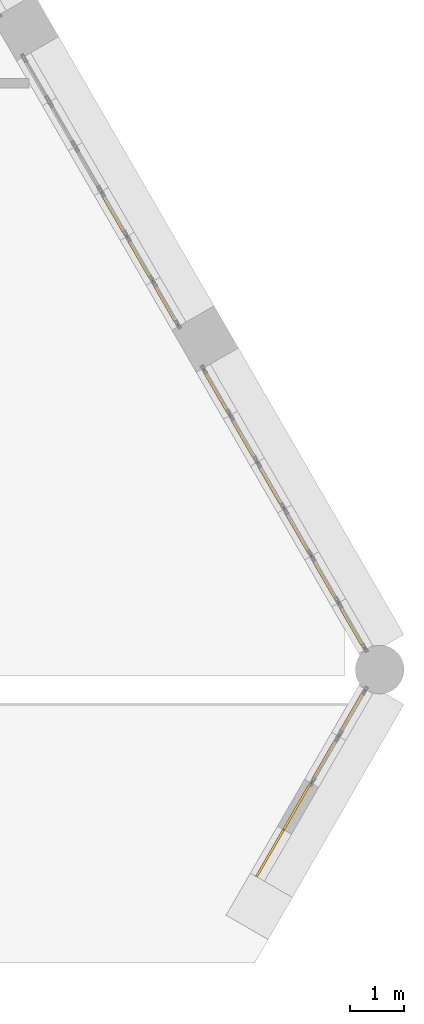
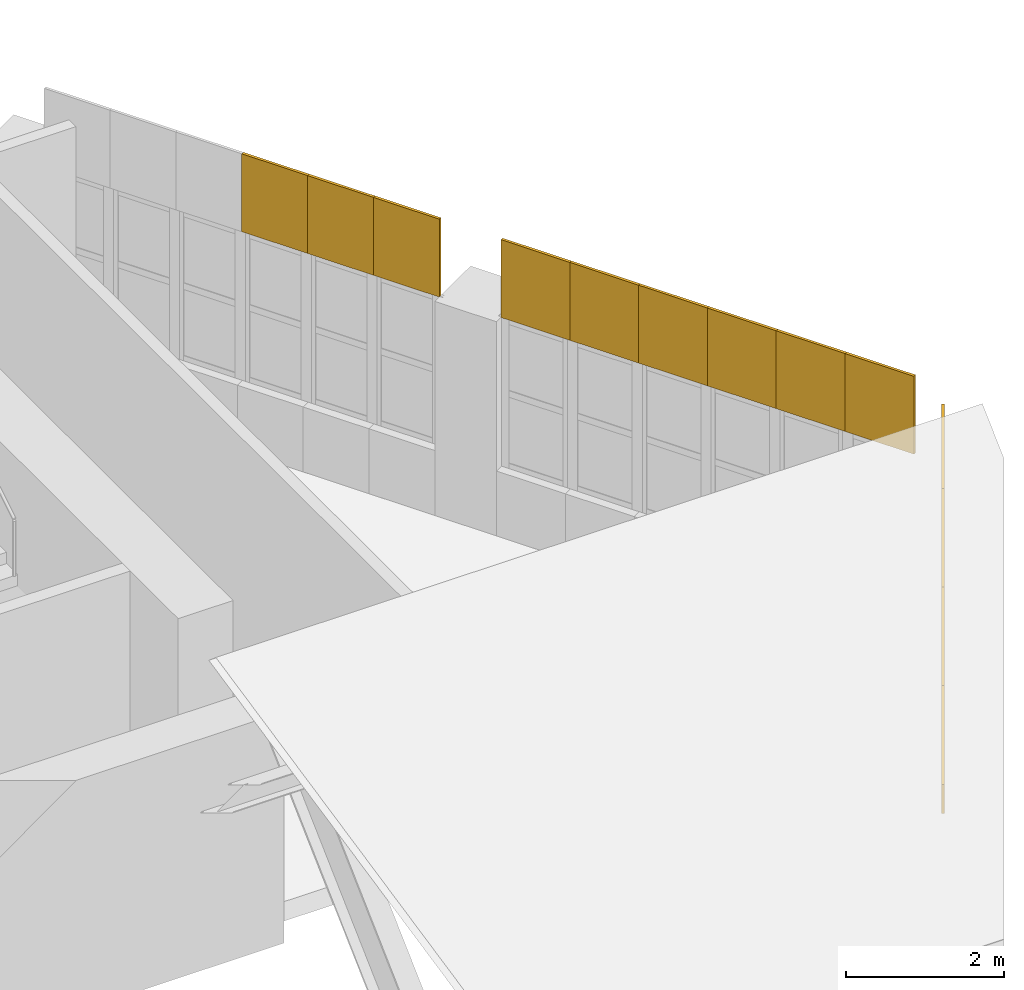
# One storey, part 20 of 20: 13 coverings.
"""IFC4 building model written with IfcOpenShell, lengths in metres."""

from ifc_helpers import new_model, si_unit, direction, frame, origin, place, context, subcontext, project, spatial, polyline, outline, extrude, material, layer, layer_set, type_object, element, save


model = new_model("IFC4")

# Units and contexts
model_context = context("Model", 3, precision=1e-05, world=origin(), true_north=direction((0.0, 1.0)))
body_context = subcontext(model_context, "Body", "Model", "MODEL_VIEW")
ifc_project = project(units=[si_unit("LENGTHUNIT", "METRE"), si_unit("AREAUNIT", "SQUARE_METRE"), si_unit("VOLUMEUNIT", "CUBIC_METRE"), si_unit("PLANEANGLEUNIT", "RADIAN"), si_unit("MASSUNIT", "GRAM", prefix="KILO")], contexts=[model_context])

# Site, building, storey
site_placement = place(None, origin())
site = spatial("IfcSite", under=ifc_project, at=site_placement, CompositionType="ELEMENT")
building_placement = place(site_placement, origin())
building = spatial("IfcBuilding", under=site, at=building_placement, Name="Ostrander Bayou Hotel Tower", CompositionType="ELEMENT")
storey_placement = place(building_placement, frame((0.0, 0.0, 284.0)))
storey = spatial("IfcBuildingStorey", under=building, at=storey_placement, Name="L70", CompositionType="ELEMENT", Elevation=284.0)

# Coverings
ifc_material = material(Name="Reconstituted stone panels", Category="masonry")
ifc_layer = layer(ifc_material, 0.0400390625)
ifc_layer_set = layer_set([ifc_layer], Name="CV3 crown cladding 40 mm")
covering_type = type_object("IfcCoveringType", Name="CV3 crown cladding 40 mm", PredefinedType="CLADDING", material=ifc_layer_set)
covering_1_placement = place(storey_placement, frame((16.222412109375, -5.001953125, 1.0), z_axis=(0.865958718457, -0.500115484592, 0.0), x_axis=(0.500115484592, 0.865958718457, 0.0)))
element("IfcCovering", 1, at=covering_1_placement, inside=storey, type_object=covering_type, Name="CV3 crown fascia L70", PredefinedType="CLADDING", context=body_context, shape_type="SweptSolid", body=[
    extrude(outline(polyline([(0.0, 0.0), (1.0036744321355688, 0.0), (1.0036744321355688, 1.262939453125), (0.0, 0.444091796875), (0.0, 0.0)])), origin(), (0.0, 0.0, -1.0), 0.0400390625),
])
covering_2_placement = place(storey_placement, frame((16.724365234375, -4.1328125, 1.412841796875), z_axis=(0.866080321209, -0.499904868165, 0.0), x_axis=(0.499904868165, 0.866080321209, 0.0)))
element("IfcCovering", 2, at=covering_2_placement, inside=storey, type_object=covering_type, Name="CV3 crown fascia L70", PredefinedType="CLADDING", context=body_context, shape_type="SweptSolid", body=[
    extrude(outline(polyline([(0.0, 0.0), (1.0040972932354897, 0.0), (1.0040972932354897, 1.6689453125), (0.0, 0.85009765625), (0.0, 0.0)])), origin(), (0.0, 0.0, -1.0), 0.0400390625),
])
covering_3_placement = place(storey_placement, frame((17.226318359375, -3.26318359375, 2.231689453125), z_axis=(0.866064057238, -0.499933044277, 0.0), x_axis=(0.499933044277, 0.866064057238, 0.0)))
element("IfcCovering", 3, at=covering_3_placement, inside=storey, type_object=covering_type, Name="CV3 crown fascia L70", PredefinedType="CLADDING", context=body_context, shape_type="SweptSolid", body=[
    extrude(outline(polyline([(0.0, 0.0), (1.0035523558977801, 0.0), (1.0035523558977801, 1.668701171875), (0.0, 0.85009765625), (0.0, 0.0)])), origin(), (0.0, 0.0, -1.0), 0.0400390625),
])
covering_4_placement = place(storey_placement, frame((17.72802734375, -2.39404296875, 3.050537109375), z_axis=(0.866019539041, -0.500010157896, 0.0), x_axis=(0.500010157896, 0.866019539041, 0.0)))
element("IfcCovering", 4, at=covering_4_placement, inside=storey, type_object=covering_type, Name="CV3 crown fascia L70", PredefinedType="CLADDING", context=body_context, shape_type="SweptSolid", body=[
    extrude(outline(polyline([(0.0, 0.0), (1.0038858552634866, 0.0), (1.0038858552634866, 1.449462890625), (0.0, 0.849853515625), (0.0, 0.0)])), origin(), (0.0, 0.0, -1.0), 0.0400390625),
])
for number, where, z_axis, x_axis, name in (
    (5, (18.22998046875, -0.788330078125, 3.300048828125), (0.866047774678, 0.499961250474, 0.0), (-0.499961250474, 0.866047774678, 0.0), "CV3 crown fascia L70"),
    (6, (17.728515625, 0.080322265625, 3.300048828125), (0.866047774678, 0.499961250474, 0.0), (-0.499961250474, 0.866047774678, 0.0), "CV3 crown fascia L70"),
    (7, (17.22705078125, 0.948974609375, 3.300048828125), (0.866047774678, 0.499961250474, 0.0), (-0.499961250474, 0.866047774678, 0.0), "CV3 crown fascia L70"),
    (8, (16.7255859375, 1.817626953125, 3.300048828125), (0.866047774678, 0.499961250474, 0.0), (-0.499961250474, 0.866047774678, 0.0), "CV3 crown fascia L70"),
):
    element("IfcCovering", number, at=place(storey_placement, frame(where, z_axis=z_axis, x_axis=x_axis)), inside=storey, type_object=covering_type, Name=name, PredefinedType="CLADDING", context=body_context, shape_type="SweptSolid", body=[
        extrude(outline(polyline([(0.0, 0.0), (1.0030074196233945, 0.0), (1.0030074196233945, 1.199951171875), (0.0, 1.199951171875), (0.0, 0.0)])), origin(), (0.0, 0.0, -1.0), 0.0400390625),
    ])
covering_5_placement = place(storey_placement, frame((16.22412109375, 2.686279296875, 3.300048828125), z_axis=(0.865942374699, 0.500143783026, 0.0), x_axis=(-0.500143783026, 0.865942374699, 0.0)))
element("IfcCovering", 9, at=covering_5_placement, inside=storey, type_object=covering_type, Name="CV3 crown fascia L70", PredefinedType="CLADDING", context=body_context, shape_type="SweptSolid", body=[
    extrude(outline(polyline([(0.0, 0.0), (1.0031295027587228, 0.0), (1.0031295027587228, 1.1999511718750002), (0.0, 1.1999511718750002), (0.0, 0.0)])), origin(), (0.0, 0.0, -1.0), 0.0400390625),
])
covering_6_placement = place(storey_placement, frame((15.722412109375, 3.554931640625, 3.300048828125), z_axis=(0.866047774678, 0.499961250474, 0.0), x_axis=(-0.499961250474, 0.866047774678, 0.0)))
element("IfcCovering", 10, at=covering_6_placement, inside=storey, type_object=covering_type, Name="CV3 crown fascia L70", PredefinedType="CLADDING", context=body_context, shape_type="SweptSolid", body=[
    extrude(outline(polyline([(0.0, 0.0), (1.0030074196233945, 0.0), (1.0030074196233945, 1.199951171875), (0.0, 1.199951171875), (0.0, 0.0)])), origin(), (0.0, 0.0, -1.0), 0.0400390625),
])
covering_7_placement = place(storey_placement, frame((14.77099609375, 5.203125, 3.300048828125), z_axis=(0.865948320045, 0.500133489192, 0.0), x_axis=(-0.500133489192, 0.865948320045, 0.0)))
element("IfcCovering", 11, at=covering_7_placement, inside=storey, type_object=covering_type, Name="CV3 crown fascia L70", PredefinedType="CLADDING", context=body_context, shape_type="SweptSolid", body=[
    extrude(outline(polyline([(0.0, 0.0), (0.9597047170860381, 0.0), (0.9597047170860381, 1.199951171875), (0.0, 1.199951171875), (0.0, 0.0)])), origin(), (0.0, 0.0, -1.0), 0.0400390625),
])
covering_8_placement = place(storey_placement, frame((14.291015625, 6.0341796875, 3.300048828125), z_axis=(0.866011930837, 0.500023335103, 0.0), x_axis=(-0.500023335103, 0.866011930837, 0.0)))
element("IfcCovering", 12, at=covering_8_placement, inside=storey, type_object=covering_type, Name="CV3 crown fascia L70", PredefinedType="CLADDING", context=body_context, shape_type="SweptSolid", body=[
    extrude(outline(polyline([(0.0, 0.0), (0.9599161380159561, 0.0), (0.9599161380159561, 1.199951171875), (0.0, 1.199951171875), (0.0, 0.0)])), origin(), (0.0, 0.0, -1.0), 0.0400390625),
])
covering_9_placement = place(storey_placement, frame((13.81103515625, 6.865478515625, 3.300048828125), z_axis=(0.866122057702, 0.499832553123, 0.0), x_axis=(-0.499832553123, 0.866122057702, 0.0)))
element("IfcCovering", 13, at=covering_9_placement, inside=storey, type_object=covering_type, Name="CV3 crown fascia L70", PredefinedType="CLADDING", context=body_context, shape_type="SweptSolid", body=[
    extrude(outline(polyline([(0.0, 0.0), (0.9597940852937448, 0.0), (0.9597940852937448, 1.199951171875), (0.0, 1.199951171875), (0.0, 0.0)])), origin(), (0.0, 0.0, -1.0), 0.0400390625),
])

save(model, "model.ifc")
